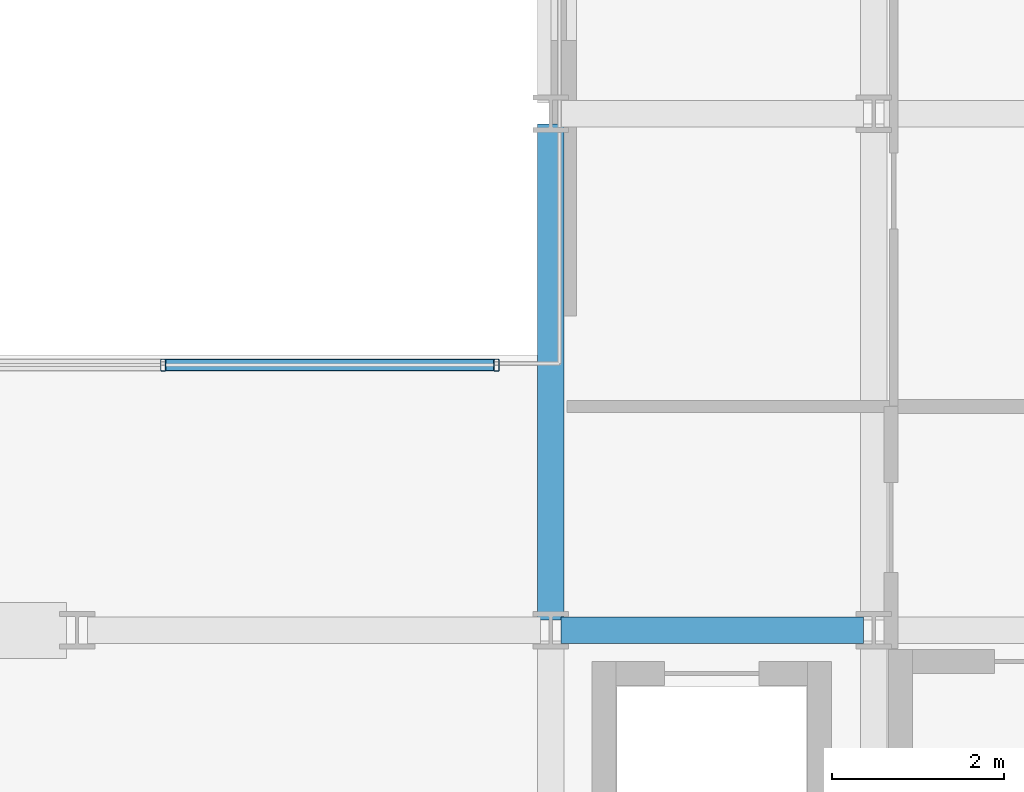
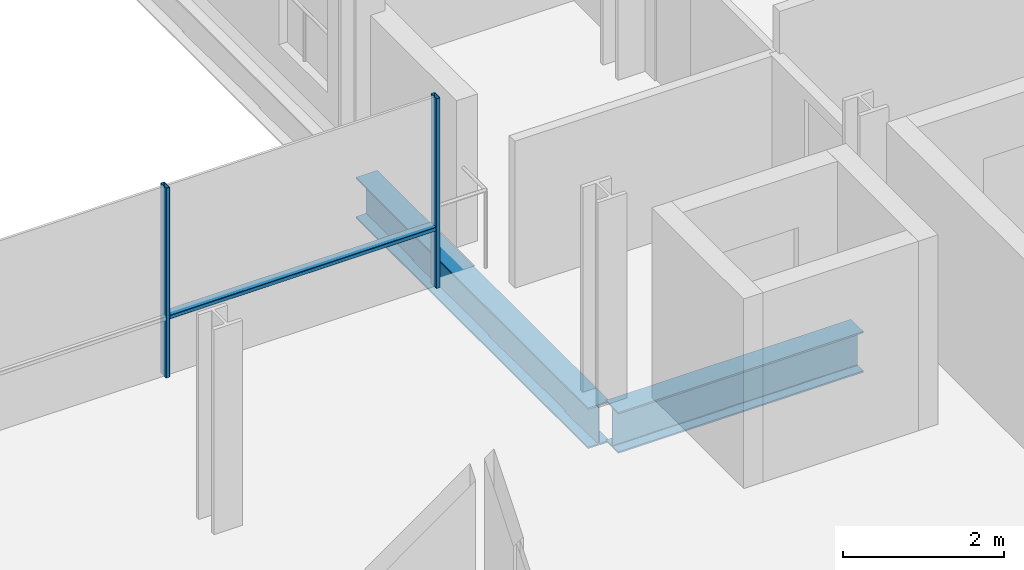
# One storey, part 13 of 40: 3 members, 2 beams, 1 element without a shape of its own.
"""IFC4 building model written with IfcOpenShell, lengths in metres."""

import ifcopenshell
import ifcopenshell.guid

model = None  # the IFC model being written
_history = None  # IfcOwnerHistory: only IFC2X3 demands one
_inside = {}  # id of a spatial element -> (the spatial element, [elements in it])
_under = {}  # id of a project, library or spatial element -> (it, [spatial elements below it])
_declared = {}  # id of a project -> (the project, [libraries it declares])
_typed = {}  # id of a type object -> (the type object, [elements of that type])
_made_of = {}  # id of a material, layer set ... -> (it, [elements and type objects made of it])


def new_model(schema):
    """Start an empty IFC model of exactly this schema.

    Asked for "IFC4X3", IfcOpenShell would pick the latest addendum, in which some entities
    have other attributes; the version numbers below select the first issue.
    IFC2X3 requires an IfcOwnerHistory on every rooted entity: one is made here for all.
    """
    global model, _history
    if schema == "IFC4X3":
        model = ifcopenshell.file(schema_version=(4, 3, 0, 0))
    else:
        model = ifcopenshell.file(schema=schema)
    _inside.clear()
    _under.clear()
    _declared.clear()
    _typed.clear()
    _made_of.clear()
    _history = None
    if model.schema == "IFC2X3":
        org = make("IfcOrganization", Name="unknown")
        user = make(
            "IfcPersonAndOrganization",
            ThePerson=make("IfcPerson", FamilyName="unknown"),
            TheOrganization=org,
        )
        app = make(
            "IfcApplication",
            ApplicationDeveloper=org,
            Version="unknown",
            ApplicationFullName="unknown",
            ApplicationIdentifier="unknown",
        )
        _history = make(
            "IfcOwnerHistory",
            OwningUser=user,
            OwningApplication=app,
            ChangeAction="ADDED",
            CreationDate=0,
        )
    return model


def make(cls, **values):
    """One entity of the class cls with the attributes given. An attribute that is None is left unset."""
    return model.create_entity(
        cls, **{name: value for name, value in values.items() if value is not None}
    )


def rooted(cls, **values):
    """An entity with a GlobalId (a new one), such as an element, a storey or a relation."""
    return make(cls, GlobalId=ifcopenshell.guid.new(), OwnerHistory=_history, **values)


def si_unit(unit_type, name, prefix=None):
    """IfcSIUnit, for example si_unit("LENGTHUNIT", "METRE", prefix="MILLI")."""
    return make("IfcSIUnit", UnitType=unit_type, Prefix=prefix, Name=name)


def assignment(units):
    """IfcUnitAssignment: the units of a project."""
    return None if units is None else make("IfcUnitAssignment", Units=units)


def point(xyz):
    """IfcCartesianPoint."""
    return None if xyz is None else make("IfcCartesianPoint", Coordinates=xyz)


def direction(xyz):
    """IfcDirection."""
    return None if xyz is None else make("IfcDirection", DirectionRatios=xyz)


def frame(location, z_axis=None, x_axis=None):
    """IfcAxis2Placement3D, a coordinate frame: its origin and axes. An axis left out is left unset."""
    return make(
        "IfcAxis2Placement3D",
        Location=point(location),
        Axis=direction(z_axis),
        RefDirection=direction(x_axis),
    )


def frame_2d(location, x_axis=None):
    """IfcAxis2Placement2D, a coordinate frame in the plane: its origin and x axis."""
    return make(
        "IfcAxis2Placement2D", Location=point(location), RefDirection=direction(x_axis)
    )


def origin():
    """The frame at (0, 0, 0) with its axes left unset."""
    return frame((0.0, 0.0, 0.0))


def origin_2d():
    """The frame at (0, 0) in the plane with its x axis left unset."""
    return frame_2d((0.0, 0.0))


def place(relative_to, where):
    """IfcLocalPlacement: puts the frame where relative to a parent placement (None: the world)."""
    return make(
        "IfcLocalPlacement", PlacementRelTo=relative_to, RelativePlacement=where
    )


def context(
    kind, dimensions, precision=None, world=None, true_north=None, identifier=None
):
    """IfcGeometricRepresentationContext, for example the 3D "Model" context."""
    return make(
        "IfcGeometricRepresentationContext",
        ContextIdentifier=identifier,
        ContextType=kind,
        CoordinateSpaceDimension=dimensions,
        Precision=precision,
        WorldCoordinateSystem=world,
        TrueNorth=true_north,
    )


def subcontext(parent, identifier, kind, view, scale=None):
    """IfcGeometricRepresentationSubContext, for example "Body" below "Model"."""
    return make(
        "IfcGeometricRepresentationSubContext",
        ContextIdentifier=identifier,
        ContextType=kind,
        ParentContext=parent,
        TargetScale=scale,
        TargetView=view,
    )


def project(units=None, contexts=None):
    """IfcProject with its units and contexts."""
    return rooted(
        "IfcProject",
        Name="project",
        RepresentationContexts=contexts,
        UnitsInContext=assignment(units),
    )


def spatial(cls, under=None, at=None, **own):
    """A site, building, storey or space (cls), placed at a placement, below another one or the project."""
    s = rooted(cls, ObjectPlacement=at, **own)
    if under is not None:
        _under.setdefault(under.id(), (under, []))[1].append(s)
    return s


def profile(cls, at=None, kind="AREA", **sizes):
    """A parametric profile (cls). Its sizes go by their IFC names, for example OverallWidth=200.0."""
    return make(cls, ProfileType=kind, Position=at, **sizes)


def hollow_rectangle(**sizes):
    """IfcRectangleHollowProfileDef."""
    return profile("IfcRectangleHollowProfileDef", **sizes)


def i_section(**sizes):
    """IfcIShapeProfileDef."""
    return profile("IfcIShapeProfileDef", **sizes)


def extrude(swept, where, along, depth):
    """IfcExtrudedAreaSolid: the profile swept, set in the frame where, extruded along a direction by depth."""
    return make(
        "IfcExtrudedAreaSolid",
        SweptArea=swept,
        Position=where,
        ExtrudedDirection=direction(along),
        Depth=depth,
    )


def shape(context_of_items, identifier, shape_type, items):
    """IfcShapeRepresentation: the items that make up one representation, for example the "Body"."""
    return make(
        "IfcShapeRepresentation",
        ContextOfItems=context_of_items,
        RepresentationIdentifier=identifier,
        RepresentationType=shape_type,
        Items=items,
    )


def material(Name=None, Category=None):
    """IfcMaterial."""
    return make("IfcMaterial", Name=Name, Category=Category)


def layer(
    of_material, thickness, ventilated=None, Name=None, Category=None, Priority=None
):
    """IfcMaterialLayer: one layer of a wall or slab, of a material (None: an air gap)."""
    return make(
        "IfcMaterialLayer",
        Material=of_material,
        LayerThickness=thickness,
        IsVentilated=ventilated,
        Name=Name,
        Category=Category,
        Priority=Priority,
    )


def layer_set(layers, Name=None):
    """IfcMaterialLayerSet."""
    return make("IfcMaterialLayerSet", MaterialLayers=layers, LayerSetName=Name)


def material_profile(
    of_material, cross_section, Name=None, Category=None, Priority=None
):
    """IfcMaterialProfile: a cross section and its material."""
    return make(
        "IfcMaterialProfile",
        Name=Name,
        Material=of_material,
        Profile=cross_section,
        Priority=Priority,
        Category=Category,
    )


def profile_set(profiles, Name=None, composite=None):
    """IfcMaterialProfileSet."""
    return make(
        "IfcMaterialProfileSet",
        Name=Name,
        MaterialProfiles=profiles,
        CompositeProfile=composite,
    )


def made_of(thing, what):
    """Note that an element or type object is made of a material, layer set ...; save() writes the relation."""
    if what is not None:
        _made_of.setdefault(what.id(), (what, []))[1].append(thing)
    return thing


def type_object(cls, material=None, **own):
    """A type object (cls), such as IfcWallType, which elements share."""
    return made_of(rooted(cls, **own), material)


def element(
    cls,
    number,
    at=None,
    inside=None,
    cuts=None,
    type_object=None,
    material=None,
    context=None,
    identifier="Body",
    shape_type=None,
    held_by="IfcProductDefinitionShape",
    body=None,
    shapes=None,
    **own,
):
    """One element of the class cls, such as IfcWall. Its Tag is "e" and its number.

    at: its placement. inside: the storey or other place that contains it. cuts: it is an
    opening in that element (IfcRelVoidsElement). A single representation is given by context,
    identifier, shape_type and body (its items); several are given by shapes. held_by: the class
    of the entity that holds the representations. save() writes the other relations.
    """
    e = rooted(cls, Tag="e%d" % number, ObjectPlacement=at, **own)
    if body is not None:
        shapes = [shape(context, identifier, shape_type, body)]
    if shapes is not None:
        e.Representation = make(held_by, Representations=shapes)
    if inside is not None:
        _inside.setdefault(inside.id(), (inside, []))[1].append(e)
    if cuts is not None:
        rooted(
            "IfcRelVoidsElement", RelatingBuildingElement=cuts, RelatedOpeningElement=e
        )
    if type_object is not None:
        _typed.setdefault(type_object.id(), (type_object, []))[1].append(e)
    return made_of(e, material)


def aggregate(whole, parts):
    """IfcRelAggregates: a whole, such as a stair, and the parts it consists of."""
    return rooted("IfcRelAggregates", RelatingObject=whole, RelatedObjects=parts)


def save(model, path):
    """Write the relations noted so far, then the file.

    IfcRelAggregates (storeys below a building ...), IfcRelContainedInSpatialStructure (elements
    in a storey), IfcRelDefinesByType, IfcRelAssociatesMaterial and IfcRelDeclares: one each for
    every whole, place, type object, material and project.
    """
    for whole, parts in _under.values():
        aggregate(whole, parts)
    for where, things in _inside.values():
        rooted(
            "IfcRelContainedInSpatialStructure",
            RelatedElements=things,
            RelatingStructure=where,
        )
    for kind, things in _typed.values():
        rooted("IfcRelDefinesByType", RelatedObjects=things, RelatingType=kind)
    for what, things in _made_of.values():
        rooted("IfcRelAssociatesMaterial", RelatedObjects=things, RelatingMaterial=what)
    for by, libraries in _declared.values():
        rooted("IfcRelDeclares", RelatingContext=by, RelatedDefinitions=libraries)
    model.write(path)


model = new_model("IFC4")

# Units and contexts
model_context = context("Model", 3, precision=1e-05, world=origin(), true_north=direction((0.0, 1.0)))
body_context = subcontext(model_context, "Body", "Model", "MODEL_VIEW")
ifc_project = project(units=[si_unit("LENGTHUNIT", "METRE"), si_unit("AREAUNIT", "SQUARE_METRE"), si_unit("VOLUMEUNIT", "CUBIC_METRE"), si_unit("PLANEANGLEUNIT", "RADIAN"), si_unit("MASSUNIT", "GRAM", prefix="KILO")], contexts=[model_context])

# Site, building, storey
site_placement = place(None, origin())
site = spatial("IfcSite", under=ifc_project, at=site_placement, CompositionType="ELEMENT")
building_placement = place(site_placement, origin())
building = spatial("IfcBuilding", under=site, at=building_placement, Name="Brevholm Reach", CompositionType="ELEMENT")
storey_placement = place(building_placement, frame((0.0, 0.0, 62.10009765625)))
storey = spatial("IfcBuildingStorey", under=building, at=storey_placement, Name="L17", CompositionType="ELEMENT", Elevation=62.10009765625)

# Beams
ifc_material_1 = material(Name="Structural Steel S355J2", Category="steel")
ifc_material_profile_1 = material_profile(ifc_material_1, i_section(OverallWidth=0.30712890625, OverallDepth=0.6201171875, WebThickness=0.01416015625, FlangeThickness=0.023681640625, FilletRadius=0.0166015625, at=origin_2d()), Name="UKB 610x305x179")
ifc_profile_set_1 = profile_set([ifc_material_profile_1], Name="Structural Steel S355J2")
beam_type = type_object("IfcBeamType", Name="BM-UKB610H", PredefinedType="USERDEFINED", material=ifc_profile_set_1)
beam_1_placement = place(storey_placement, frame((38.3701171875, 10.0, -0.540283203125), z_axis=(1.0, 0.0, 0.0), x_axis=(0.0, 1.0, 0.0)))
element("IfcBeam", 1, at=beam_1_placement, inside=storey, type_object=beam_type, Name="L17 G-06 Framing Beam", ObjectType="GIRDER", PredefinedType="USERDEFINED", context=body_context, shape_type="SweptSolid", body=[
    extrude(i_section(OverallWidth=0.30712890625, OverallDepth=0.6201171875, WebThickness=0.01416015625, FlangeThickness=0.023681640625, FilletRadius=0.0166015625, at=origin_2d()), origin(), (0.0, 0.0, 1.0), 3.509765625),
])
beam_2_placement = place(storey_placement, frame((38.25, 10.1201171875, -0.540283203125), z_axis=(0.0, 1.0, 0.0), x_axis=(-1.0, 0.0, 0.0)))
element("IfcBeam", 2, at=beam_2_placement, inside=storey, type_object=beam_type, Name="L17 G-06 Framing Beam", ObjectType="GIRDER", PredefinedType="USERDEFINED", context=body_context, shape_type="SweptSolid", body=[
    extrude(i_section(OverallWidth=0.30712890625, OverallDepth=0.6201171875, WebThickness=0.01416015625, FlangeThickness=0.023681640625, FilletRadius=0.0166015625, at=origin_2d()), origin(), (0.0, 0.0, 1.0), 5.759765625),
])

# Curtain wall, members
ifc_material_2 = material(Name="Dark Anodised Aluminium 6063-T6 and Solar-Control Glass", Category="aluminium")
ifc_layer = layer(ifc_material_2, 0.139892578125)
ifc_layer_set = layer_set([ifc_layer], Name="Dark Anodised Aluminium 6063-T6 and Solar-Control Glass")
curtain_wall_type = type_object("IfcCurtainWallType", Name="CW-02", PredefinedType="NOTDEFINED", material=ifc_layer_set)
curtain_wall_placement = place(storey_placement, origin())
curtain_wall = element("IfcCurtainWall", 3, at=curtain_wall_placement, inside=storey, type_object=curtain_wall_type, Name="L17 Curtain Wall CW-02", PredefinedType="NOTDEFINED")
ifc_material_3 = material(Name="Dark Anodised Aluminium 6063-T6", Category="aluminium")
ifc_material_profile_2 = material_profile(ifc_material_3, hollow_rectangle(XDim=0.06005859375, YDim=0.139892578125, WallThickness=0.0048828125, InnerFilletRadius=0.0048828125, OuterFilletRadius=0.010009765625, at=origin_2d()), Name="RHS 140x60x5")
ifc_profile_set_2 = profile_set([ifc_material_profile_2], Name="Dark Anodised Aluminium 6063-T6")
member_type_1 = type_object("IfcMemberType", Name="CWM-140", PredefinedType="MULLION", material=ifc_profile_set_2)
member_1_placement = place(storey_placement, frame((33.75, 13.080078125, 0.0), z_axis=(0.0, 0.0, 1.0), x_axis=(1.0, 0.0, 0.0)))
member_1 = element("IfcMember", 4, at=member_1_placement, type_object=member_type_1, Name="CM-140 Mullion 4", PredefinedType="MULLION", context=body_context, shape_type="SweptSolid", body=[
    extrude(hollow_rectangle(XDim=0.06005859375, YDim=0.139892578125, WallThickness=0.0048828125, InnerFilletRadius=0.0048828125, OuterFilletRadius=0.010009765625, at=origin_2d()), origin(), (0.0, 0.0, 1.0), 2.869873046875),
])
member_2_placement = place(storey_placement, frame((37.6201171875, 13.080078125, 0.0), z_axis=(0.0, 0.0, 1.0), x_axis=(1.0, 0.0, 0.0)))
member_2 = element("IfcMember", 5, at=member_2_placement, type_object=member_type_1, Name="CM-140 Mullion 5", PredefinedType="MULLION", context=body_context, shape_type="SweptSolid", body=[
    extrude(hollow_rectangle(XDim=0.06005859375, YDim=0.139892578125, WallThickness=0.0048828125, InnerFilletRadius=0.0048828125, OuterFilletRadius=0.010009765625, at=origin_2d()), origin(), (0.0, 0.0, 1.0), 2.869873046875),
])
ifc_material_4 = material(Name="Dark Anodised Aluminium 6063-T6", Category="aluminium")
ifc_material_profile_3 = material_profile(ifc_material_4, hollow_rectangle(XDim=0.06005859375, YDim=0.139892578125, WallThickness=0.0048828125, InnerFilletRadius=0.0048828125, OuterFilletRadius=0.010009765625, at=origin_2d()), Name="RHS 140x60x5")
ifc_profile_set_3 = profile_set([ifc_material_profile_3], Name="Dark Anodised Aluminium 6063-T6")
member_type_2 = type_object("IfcMemberType", Name="CWT-140", PredefinedType="NOTDEFINED", material=ifc_profile_set_3)
member_3_placement = place(storey_placement, frame((33.780029296875, 13.080078125, 0.89990234375), z_axis=(1.0, 0.0, 0.0), x_axis=(0.0, 0.0, 1.0)))
member_3 = element("IfcMember", 6, at=member_3_placement, type_object=member_type_2, Name="CT-140 Transom 4.1", ObjectType="TRANSOM", PredefinedType="USERDEFINED", context=body_context, shape_type="SweptSolid", body=[
    extrude(hollow_rectangle(XDim=0.06005859375, YDim=0.139892578125, WallThickness=0.0048828125, InnerFilletRadius=0.0048828125, OuterFilletRadius=0.010009765625, at=origin_2d()), origin(), (0.0, 0.0, 1.0), 3.81005859375),
])
aggregate(curtain_wall, [member_1, member_2, member_3])

save(model, "model.ifc")
